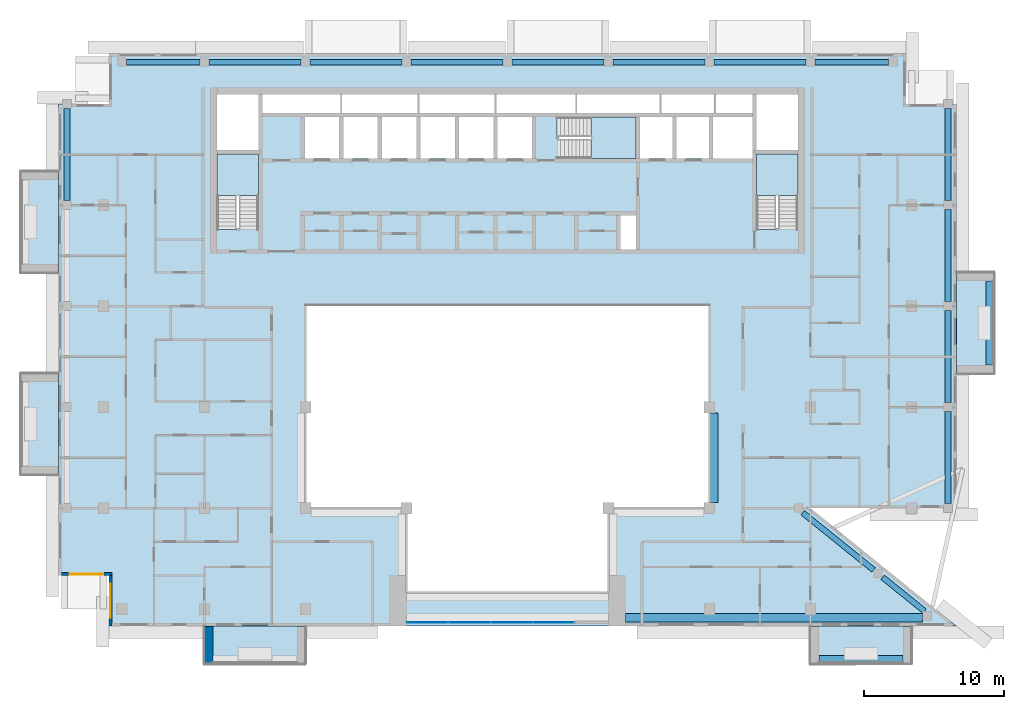
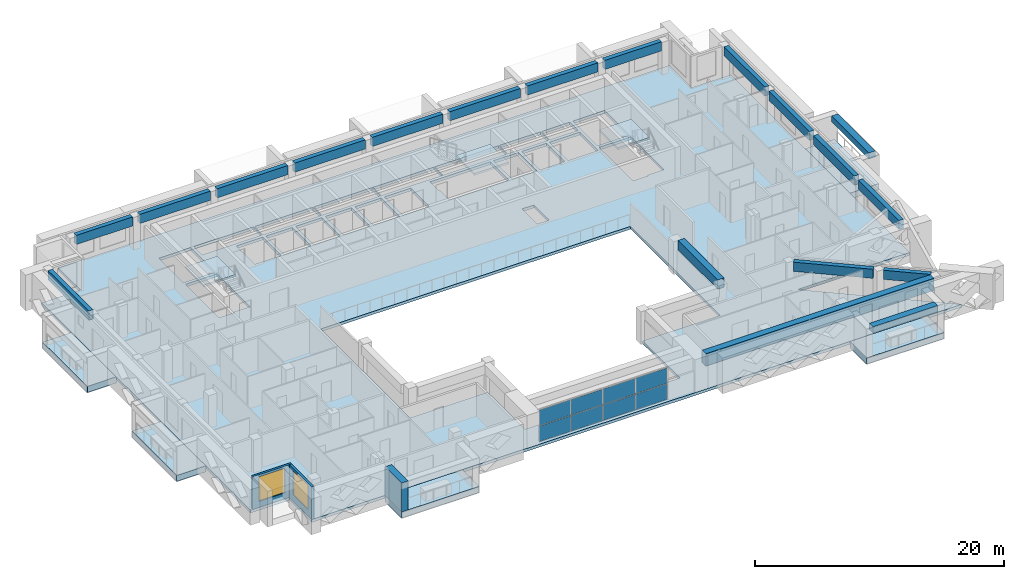
# One storey, part 5 of 19: 19 beams, 9 slabs, 8 plates, 3 walls, 2 windows, 2 openings, 4 elements without a shape of their own.
"""IFC4 building model written with IfcOpenShell, lengths in metres."""

from ifc_helpers import new_model, si_unit, direction, frame, frame_2d, origin, origin_2d, place, context, subcontext, project, spatial, polyline, rectangle, outline, extrude, source, transform, mapped, material, layer, layer_set, material_profile, profile_set, type_object, element, fill, aggregate, save


model = new_model("IFC4")

# Units and contexts
model_context = context("Model", 3, precision=1e-05, world=origin(), true_north=direction((0.0, 1.0)))
body_context = subcontext(model_context, "Body", "Model", "MODEL_VIEW")
ifc_project = project(units=[si_unit("LENGTHUNIT", "METRE"), si_unit("AREAUNIT", "SQUARE_METRE"), si_unit("VOLUMEUNIT", "CUBIC_METRE"), si_unit("PLANEANGLEUNIT", "RADIAN"), si_unit("MASSUNIT", "GRAM", prefix="KILO")], contexts=[model_context])

# Site, building, storey
site_placement = place(None, origin())
site = spatial("IfcSite", under=ifc_project, at=site_placement, CompositionType="ELEMENT")
building_placement = place(site_placement, origin())
building = spatial("IfcBuilding", under=site, at=building_placement, Name="Saffron Iwan Residences", CompositionType="ELEMENT")
storey_placement = place(building_placement, frame((0.0, 0.0, 243.0)))
storey = spatial("IfcBuildingStorey", under=building, at=storey_placement, Name="L65", CompositionType="ELEMENT", Elevation=243.0)

# Beams
ifc_material_1 = material(Name="Concrete C40/50", Category="concrete")
ifc_material_profile_1 = material_profile(ifc_material_1, rectangle(XDim=0.39990234375, YDim=0.89990234375, at=origin_2d()), Name="RC 400x900")
ifc_profile_set_1 = profile_set([ifc_material_profile_1], Name="Concrete C40/50")
beam_type_1 = type_object("IfcBeamType", Name="SPANDREL BEAM RC 400x900 C40/50 TOP 3220", PredefinedType="SPANDREL", material=ifc_profile_set_1)
shared_shape_1 = source(origin(), body_context, "Body", "SweptSolid", [
    extrude(rectangle(XDim=0.39990234375, YDim=0.89990234375, at=origin_2d()), origin(), (0.0, 0.0, 1.0), 3.839599609375),
])
beam_1_placement = place(storey_placement, frame((77.14794921875, 43.07080078125, 2.77001953125), z_axis=(0.777944766372, -0.628332667044, 0.0), x_axis=(0.628332667044, 0.777944766372, 0.0)))
element("IfcBeam", 1, at=beam_1_placement, inside=storey, type_object=beam_type_1, Name="Spandrel beam", PredefinedType="SPANDREL", context=body_context, shape_type="MappedRepresentation", body=[
    mapped(shared_shape_1, transform((0.0, 0.0, 0.0))),
])
shared_shape_2 = source(origin(), body_context, "Body", "SweptSolid", [
    extrude(rectangle(XDim=0.39990234375, YDim=0.89990234375, at=origin_2d()), origin(), (0.0, 0.0, 1.0), 6.4921875),
])
beam_2_placement = place(storey_placement, frame((71.447509765625, 47.675048828125, 2.77001953125), z_axis=(0.777936231257, -0.628343234305, 0.0), x_axis=(0.628343234305, 0.777936231257, 0.0)))
element("IfcBeam", 2, at=beam_2_placement, inside=storey, type_object=beam_type_1, Name="Spandrel beam", PredefinedType="SPANDREL", context=body_context, shape_type="MappedRepresentation", body=[
    mapped(shared_shape_2, transform((0.0, 0.0, 0.0))),
])
shared_shape_3 = source(origin(), body_context, "Body", "SweptSolid", [
    extrude(rectangle(XDim=0.39990234375, YDim=0.89990234375, at=origin_2d()), origin(), (0.0, 0.0, 1.0), 6.550048828125),
])
for number, where, z_axis, x_axis, name in (
    (3, (81.800048828125, 54.875, 2.77001953125), (0.0, -1.0, 0.0), (1.0, 0.0, 0.0), "Spandrel beam"),
    (4, (81.800048828125, 62.074951171875, 2.77001953125), (0.0, -1.0, 0.0), (1.0, 0.0, 0.0), "Spandrel beam"),
    (5, (19.0, 69.925048828125, 2.77001953125), (0.0, 1.0, 0.0), (-1.0, 0.0, 0.0), "Spandrel beam"),
    (6, (81.800048828125, 76.47509765625, 2.77001953125), (0.0, -1.0, 0.0), (1.0, 0.0, 0.0), "Spandrel beam"),
    (7, (29.125, 79.800048828125, 2.77001953125), (1.0, 0.0, 0.0), (0.0, 1.0, 0.0), "Spandrel beam"),
    (8, (36.324951171875, 79.800048828125, 2.77001953125), (1.0, 0.0, 0.0), (0.0, 1.0, 0.0), "Spandrel beam"),
    (9, (43.52490234375, 79.800048828125, 2.77001953125), (1.0, 0.0, 0.0), (0.0, 1.0, 0.0), "Spandrel beam"),
    (10, (57.925048828125, 79.800048828125, 2.77001953125), (1.0, 0.0, 0.0), (0.0, 1.0, 0.0), "Spandrel beam"),
    (11, (65.125, 79.800048828125, 2.77001953125), (1.0, 0.0, 0.0), (0.0, 1.0, 0.0), "Spandrel beam"),
):
    element("IfcBeam", number, at=place(storey_placement, frame(where, z_axis=z_axis, x_axis=x_axis)), inside=storey, type_object=beam_type_1, Name=name, PredefinedType="SPANDREL", context=body_context, shape_type="MappedRepresentation", body=[
        mapped(shared_shape_3, transform((0.0, 0.0, 0.0))),
    ])
shared_shape_4 = source(origin(), body_context, "Body", "SweptSolid", [
    extrude(rectangle(XDim=0.39990234375, YDim=0.89990234375, at=origin_2d()), origin(), (0.0, 0.0, 1.0), 6.5498046875),
])
for number, where, z_axis, x_axis, name in (
    (12, (81.800048828125, 69.27490234375, 2.77001953125), (0.0, -1.0, 0.0), (1.0, 0.0, 0.0), "Spandrel beam"),
    (13, (50.72509765625, 79.800048828125, 2.77001953125), (1.0, 0.0, 0.0), (0.0, 1.0, 0.0), "Spandrel beam"),
):
    element("IfcBeam", number, at=place(storey_placement, frame(where, z_axis=z_axis, x_axis=x_axis)), inside=storey, type_object=beam_type_1, Name=name, PredefinedType="SPANDREL", context=body_context, shape_type="MappedRepresentation", body=[
        mapped(shared_shape_4, transform((0.0, 0.0, 0.0))),
    ])
shared_shape_5 = source(origin(), body_context, "Body", "SweptSolid", [
    extrude(rectangle(XDim=0.39990234375, YDim=0.89990234375, at=origin_2d()), origin(), (0.0, 0.0, 1.0), 5.25),
])
for number, where, z_axis, x_axis, name in (
    (14, (23.22509765625, 79.800048828125, 2.77001953125), (1.0, 0.0, 0.0), (0.0, 1.0, 0.0), "Spandrel beam"),
    (15, (72.324951171875, 79.800048828125, 2.77001953125), (1.0, 0.0, 0.0), (0.0, 1.0, 0.0), "Spandrel beam"),
):
    element("IfcBeam", number, at=place(storey_placement, frame(where, z_axis=z_axis, x_axis=x_axis)), inside=storey, type_object=beam_type_1, Name=name, PredefinedType="SPANDREL", context=body_context, shape_type="MappedRepresentation", body=[
        mapped(shared_shape_5, transform((0.0, 0.0, 0.0))),
    ])
ifc_material_profile_2 = material_profile(ifc_material_1, rectangle(XDim=0.60009765625, YDim=1.199951171875, at=origin_2d()), Name="RC 600x1200")
ifc_profile_set_2 = profile_set([ifc_material_profile_2], Name="Concrete C40/50")
beam_type_2 = type_object("IfcBeamType", Name="LINTEL BEAM RC 600x1200 C40/50 TOP 3220", PredefinedType="LINTEL", material=ifc_profile_set_2)
shared_shape_6 = source(origin(), body_context, "Body", "SweptSolid", [
    extrude(rectangle(XDim=0.60009765625, YDim=1.199951171875, at=origin_2d()), origin(), (0.0, 0.0, 1.0), 21.20068359375),
])
beam_3_placement = place(storey_placement, frame((80.000732421875, 40.199951171875, 2.6201171875), z_axis=(-1.0, 0.0, 0.0), x_axis=(0.0, -1.0, 0.0)))
element("IfcBeam", 16, at=beam_3_placement, inside=storey, type_object=beam_type_2, Name="Lintel beam over the iwan", PredefinedType="LINTEL", context=body_context, shape_type="MappedRepresentation", body=[
    mapped(shared_shape_6, transform((0.0, 0.0, 0.0))),
])
ifc_material_profile_3 = material_profile(ifc_material_1, rectangle(XDim=0.60009765625, YDim=0.89990234375, at=origin_2d()), Name="RC 600x900")
ifc_profile_set_3 = profile_set([ifc_material_profile_3], Name="Concrete C40/50")
beam_type_3 = type_object("IfcBeamType", Name="BEAM RC 600x900 C40/50 TOP 3220", PredefinedType="BEAM", material=ifc_profile_set_3)
shared_shape_7 = source(origin(), body_context, "Body", "SweptSolid", [
    extrude(rectangle(XDim=0.60009765625, YDim=0.89990234375, at=origin_2d()), origin(), (0.0, 0.0, 1.0), 6.400146484375),
])
beam_4_placement = place(storey_placement, frame((65.10009765625, 54.800048828125, 2.77001953125), z_axis=(0.0, -1.0, 0.0), x_axis=(1.0, 0.0, 0.0)))
element("IfcBeam", 17, at=beam_4_placement, inside=storey, type_object=beam_type_3, Name="Atrium edge beam", PredefinedType="BEAM", context=body_context, shape_type="MappedRepresentation", body=[
    mapped(shared_shape_7, transform((0.0, 0.0, 0.0))),
])
ifc_material_2 = material(Name="Concrete C50/60 white painted", Category="concrete")
ifc_material_profile_4 = material_profile(ifc_material_2, rectangle(XDim=0.60009765625, YDim=0.60009765625, at=origin_2d()), Name="BALCONY FASCIA BEAM 600 x 600")
ifc_profile_set_4 = profile_set([ifc_material_profile_4], Name="Concrete C50/60 white painted")
beam_type_4 = type_object("IfcBeamType", Name="BALCONY FASCIA BEAM 600 x 600", PredefinedType="BEAM", material=ifc_profile_set_4)
shared_shape_8 = source(origin(), body_context, "Body", "SweptSolid", [
    extrude(rectangle(XDim=0.60009765625, YDim=0.60009765625, at=origin_2d()), origin(), (0.0, 0.0, 1.0), 6.0),
])
for number, where, z_axis, x_axis, name in (
    (18, (84.800048828125, 58.199951171875, 2.550048828125), (0.0, 1.0, 0.0), (-1.0, 0.0, 0.0), "Balcony fascia beam L65 F2-0"),
    (19, (72.60009765625, 37.199951171875, 2.550048828125), (1.0, 0.0, 0.0), (0.0, 1.0, 0.0), "Balcony fascia beam L65 11-1"),
):
    element("IfcBeam", number, at=place(storey_placement, frame(where, z_axis=z_axis, x_axis=x_axis)), inside=storey, type_object=beam_type_4, Name=name, PredefinedType="BEAM", context=body_context, shape_type="MappedRepresentation", body=[
        mapped(shared_shape_8, transform((0.0, 0.0, 0.0))),
    ])

# Slabs
ifc_layer_1 = layer(ifc_material_2, 0.60009765625)
ifc_layer_set_1 = layer_set([ifc_layer_1], Name="Concrete C50/60 white painted")
slab_type_1 = type_object("IfcSlabType", Name="BALCONY FRAME SLAB 600", PredefinedType="FLOOR", material=ifc_layer_set_1)
slab_1_placement = place(storey_placement, frame((0.0, 0.0, -0.60009765625)))
element("IfcSlab", 20, at=slab_1_placement, inside=storey, type_object=slab_type_1, Name="Balcony frame slab L65 F2-0", PredefinedType="FLOOR", context=body_context, shape_type="SweptSolid", body=[
    extrude(outline(polyline([(85.10009765625, 57.60009765625), (85.10009765625, 64.800048828125), (82.39990234375, 64.800048828125), (82.39990234375, 57.60009765625), (85.10009765625, 57.60009765625)])), origin(), (0.0, 0.0, 1.0), 0.60009765625),
])
slab_2_placement = place(storey_placement, frame((0.0, 0.0, -0.60009765625)))
element("IfcSlab", 21, at=slab_2_placement, inside=storey, type_object=slab_type_1, Name="Balcony frame slab L65 F8-0", PredefinedType="FLOOR", context=body_context, shape_type="SweptSolid", body=[
    extrude(outline(polyline([(15.699951171875, 72.0), (15.699951171875, 64.800048828125), (18.39990234375, 64.800048828125), (18.39990234375, 72.0), (15.699951171875, 72.0)])), origin(), (0.0, 0.0, 1.0), 0.60009765625),
])
slab_3_placement = place(storey_placement, frame((0.0, 0.0, -0.60009765625)))
element("IfcSlab", 22, at=slab_3_placement, inside=storey, type_object=slab_type_1, Name="Balcony frame slab L65 F8-1", PredefinedType="FLOOR", context=body_context, shape_type="SweptSolid", body=[
    extrude(outline(polyline([(15.699951171875, 57.60009765625), (15.699951171875, 50.39990234375), (18.39990234375, 50.39990234375), (18.39990234375, 57.60009765625), (15.699951171875, 57.60009765625)])), origin(), (0.0, 0.0, 1.0), 0.60009765625),
])
slab_4_placement = place(storey_placement, frame((0.0, 0.0, -0.60009765625)))
element("IfcSlab", 23, at=slab_4_placement, inside=storey, type_object=slab_type_1, Name="Balcony frame slab L65 11-0", PredefinedType="FLOOR", context=body_context, shape_type="SweptSolid", body=[
    extrude(outline(polyline([(28.800048828125, 36.89990234375), (36.0, 36.89990234375), (36.0, 39.60009765625), (28.800048828125, 39.60009765625), (28.800048828125, 36.89990234375)])), origin(), (0.0, 0.0, 1.0), 0.60009765625),
])
slab_5_placement = place(storey_placement, frame((0.0, 0.0, -0.60009765625)))
element("IfcSlab", 24, at=slab_5_placement, inside=storey, type_object=slab_type_1, Name="Balcony frame slab L65 11-1", PredefinedType="FLOOR", context=body_context, shape_type="SweptSolid", body=[
    extrude(outline(polyline([(72.0, 36.89990234375), (79.199951171875, 36.89990234375), (79.199951171875, 39.60009765625), (72.0, 39.60009765625), (72.0, 36.89990234375)])), origin(), (0.0, 0.0, 1.0), 0.60009765625),
])
ifc_layer_2 = layer(ifc_material_1, 0.280029296875)
ifc_layer_set_2 = layer_set([ifc_layer_2], Name="Concrete C40/50")
slab_type_2 = type_object("IfcSlabType", Name="PT PLATE 280 C40/50", PredefinedType="FLOOR", material=ifc_layer_set_2)
slab_6_placement = place(storey_placement, frame((0.0, 0.0, -0.280029296875)))
element("IfcSlab", 25, at=slab_6_placement, inside=storey, type_object=slab_type_2, Name="Floor slab L65", PredefinedType="FLOOR", context=body_context, shape_type="SweptSolid", body=[
    extrude(outline(polyline([(18.39990234375, 43.199951171875), (18.39990234375, 76.800048828125), (22.0, 76.800048828125), (22.0, 80.39990234375), (78.800048828125, 80.39990234375), (78.800048828125, 76.800048828125), (82.39990234375, 76.800048828125), (82.39990234375, 48.0), (72.0, 48.0), (82.39990234375, 39.60009765625), (22.0, 39.60009765625), (22.0, 43.199951171875), (18.39990234375, 43.199951171875)]), holes=[polyline([(64.800048828125, 48.0), (64.800048828125, 62.39990234375), (36.0, 62.39990234375), (36.0, 48.0), (43.199951171875, 48.0), (43.199951171875, 42.0), (57.60009765625, 42.0), (57.60009765625, 48.0), (64.800048828125, 48.0)]), polyline([(29.699951171875, 73.25), (29.699951171875, 67.949951171875), (29.699951171875, 67.8505859375), (31.10009765625, 67.8505859375), (31.10009765625, 67.949951171875), (32.64990234375, 67.949951171875), (32.64990234375, 73.25), (29.699951171875, 73.25)]), polyline([(38.39990234375, 75.875), (35.949951171875, 75.875), (35.949951171875, 72.925048828125), (38.39990234375, 72.925048828125), (38.39990234375, 75.875)]), polyline([(41.14990234375, 75.875), (38.699951171875, 75.875), (38.699951171875, 72.925048828125), (41.14990234375, 72.925048828125), (41.14990234375, 75.875)]), polyline([(43.89990234375, 72.925048828125), (43.89990234375, 75.875), (41.449951171875, 75.875), (41.449951171875, 72.925048828125), (43.89990234375, 72.925048828125)]), polyline([(46.64990234375, 72.925048828125), (46.64990234375, 75.875), (44.199951171875, 75.875), (44.199951171875, 72.925048828125), (46.64990234375, 72.925048828125)]), polyline([(49.39990234375, 75.875), (46.949951171875, 75.875), (46.949951171875, 72.925048828125), (49.39990234375, 72.925048828125), (49.39990234375, 75.875)]), polyline([(52.14990234375, 72.925048828125), (52.14990234375, 75.875), (49.699951171875, 75.875), (49.699951171875, 72.925048828125), (52.14990234375, 72.925048828125)]), polyline([(32.64990234375, 73.550048828125), (32.64990234375, 77.5), (29.699951171875, 77.5), (29.699951171875, 73.550048828125), (32.64990234375, 73.550048828125)]), polyline([(38.5, 77.5), (32.949951171875, 77.5), (32.949951171875, 76.175048828125), (38.5, 76.175048828125), (38.5, 77.5)]), polyline([(44.0, 76.175048828125), (44.0, 77.5), (38.60009765625, 77.5), (38.60009765625, 76.175048828125), (44.0, 76.175048828125)]), polyline([(49.5, 76.175048828125), (49.5, 77.5), (44.10009765625, 77.5), (44.10009765625, 76.175048828125), (49.5, 76.175048828125)]), polyline([(59.550048828125, 68.875), (58.449951171875, 68.875), (58.449951171875, 66.449951171875), (59.550048828125, 66.449951171875), (59.550048828125, 68.875)]), polyline([(68.14990234375, 73.25), (68.14990234375, 67.949951171875), (68.14990234375, 67.8505859375), (69.550048828125, 67.8505859375), (69.550048828125, 67.949951171875), (71.10009765625, 67.949951171875), (71.10009765625, 73.25), (68.14990234375, 73.25)]), polyline([(54.02490234375, 74.47509765625), (54.02490234375, 72.925048828125), (59.550048828125, 72.925048828125), (59.550048828125, 75.875), (54.02490234375, 75.875), (53.925537109375, 75.875), (53.925537109375, 74.47509765625), (54.02490234375, 74.47509765625)]), polyline([(62.14990234375, 72.925048828125), (62.14990234375, 75.875), (59.85009765625, 75.875), (59.85009765625, 72.925048828125), (62.14990234375, 72.925048828125)]), polyline([(64.75, 72.925048828125), (64.75, 75.875), (62.449951171875, 75.875), (62.449951171875, 72.925048828125), (64.75, 72.925048828125)]), polyline([(67.85009765625, 75.875), (65.050048828125, 75.875), (65.050048828125, 72.925048828125), (67.85009765625, 72.925048828125), (67.85009765625, 75.875)]), polyline([(71.10009765625, 73.550048828125), (71.10009765625, 77.5), (68.14990234375, 77.5), (68.14990234375, 73.550048828125), (71.10009765625, 73.550048828125)]), polyline([(55.25, 76.175048828125), (55.25, 77.5), (49.60009765625, 77.5), (49.60009765625, 76.175048828125), (55.25, 76.175048828125)]), polyline([(61.25, 77.5), (55.35009765625, 77.5), (55.35009765625, 76.175048828125), (61.25, 76.175048828125), (61.25, 77.5)]), polyline([(65.14990234375, 76.175048828125), (65.14990234375, 77.5), (61.35009765625, 77.5), (61.35009765625, 76.175048828125), (65.14990234375, 76.175048828125)]), polyline([(67.85009765625, 76.175048828125), (67.85009765625, 77.5), (65.25, 77.5), (65.25, 76.175048828125), (67.85009765625, 76.175048828125)])]), origin(), (0.0, 0.0, 1.0), 0.280029296875),
])

# Stair, slab
ifc_material_3 = material(Name="Concrete C50/60", Category="concrete")
stair_type = type_object("IfcStairType", Name="Stair ST-CORE", PredefinedType="HALF_TURN_STAIR", material=ifc_material_3)
stair_1_placement = place(storey_placement, origin())
stair_1 = element("IfcStair", 26, at=stair_1_placement, inside=storey, type_object=stair_type, Name="L65 Exit Stair ST-W", PredefinedType="HALF_TURN_STAIR")
ifc_layer_3 = layer(ifc_material_3, 0.199951171875)
ifc_layer_set_3 = layer_set([ifc_layer_3], Name="Concrete C50/60")
slab_type_3 = type_object("IfcSlabType", Name="Stair landing SL-RC", PredefinedType="LANDING", material=ifc_layer_set_3)
slab_7_placement = place(storey_placement, frame((0.0, 0.0, 1.5498046875)))
slab_7 = element("IfcSlab", 27, at=slab_7_placement, type_object=slab_type_3, Name="ST-W landing 1", PredefinedType="LANDING", context=body_context, shape_type="SweptSolid", body=[
    extrude(outline(polyline([(32.64990234375, 70.280029296875), (32.64990234375, 73.25), (29.699951171875, 73.25), (29.699951171875, 70.280029296875), (32.64990234375, 70.280029296875)])), origin(), (0.0, 0.0, 1.0), 0.2001953125),
])
aggregate(stair_1, [slab_7])

stair_2_placement = place(storey_placement, origin())
stair_2 = element("IfcStair", 28, at=stair_2_placement, inside=storey, type_object=stair_type, Name="L65 Exit Stair ST-C", PredefinedType="HALF_TURN_STAIR")
slab_8_placement = place(storey_placement, frame((0.0, 0.0, 1.5498046875)))
slab_8 = element("IfcSlab", 29, at=slab_8_placement, type_object=slab_type_3, Name="ST-C landing 1", PredefinedType="LANDING", context=body_context, shape_type="SweptSolid", body=[
    extrude(outline(polyline([(56.35498046875, 72.925048828125), (59.550048828125, 72.925048828125), (59.550048828125, 75.875), (56.35498046875, 75.875), (56.35498046875, 72.925048828125)])), origin(), (0.0, 0.0, 1.0), 0.2001953125),
])
aggregate(stair_2, [slab_8])

stair_3_placement = place(storey_placement, origin())
stair_3 = element("IfcStair", 30, at=stair_3_placement, inside=storey, type_object=stair_type, Name="L65 Exit Stair ST-E", PredefinedType="HALF_TURN_STAIR")
slab_9_placement = place(storey_placement, frame((0.0, 0.0, 1.5498046875)))
slab_9 = element("IfcSlab", 31, at=slab_9_placement, type_object=slab_type_3, Name="ST-E landing 1", PredefinedType="LANDING", context=body_context, shape_type="SweptSolid", body=[
    extrude(outline(polyline([(71.10009765625, 70.280029296875), (71.10009765625, 73.25), (68.14990234375, 73.25), (68.14990234375, 70.280029296875), (71.10009765625, 70.280029296875)])), origin(), (0.0, 0.0, 1.0), 0.2001953125),
])
aggregate(stair_3, [slab_9])

# Curtain wall, plates
ifc_material_4 = material(Name="Clear glass, laminated double glazed", Category="glass")
ifc_layer_4 = layer(ifc_material_4, 0.199951171875)
ifc_layer_set_4 = layer_set([ifc_layer_4], Name="Clear glass, laminated double glazed")
curtain_wall_type = type_object("IfcCurtainWallType", Name="CW-B IWAN PORTAL", PredefinedType="NOTDEFINED", material=ifc_layer_set_4)
curtain_wall_placement = place(storey_placement, origin())
curtain_wall = element("IfcCurtainWall", 32, at=curtain_wall_placement, inside=storey, type_object=curtain_wall_type, Name="Iwan portal glazing L65.1", PredefinedType="NOTDEFINED")
ifc_layer_5 = layer(ifc_material_4, 0.028076171875)
ifc_layer_set_5 = layer_set([ifc_layer_5], Name="Clear glass, laminated double glazed")
plate_type = type_object("IfcPlateType", Name="CW-B PANEL 28", PredefinedType="CURTAIN_PANEL", material=ifc_layer_set_5)
shared_shape_9 = source(origin(), body_context, "Body", "SweptSolid", [
    extrude(rectangle(XDim=2.909912109375, YDim=0.028076171875, at=origin_2d()), origin(), (0.0, 0.0, 1.0), 1.52001953125),
])
plate_1_placement = place(storey_placement, frame((44.715087890625, 39.85009765625, 0.06005859375), z_axis=(0.0, 0.0, 1.0), x_axis=(1.0, 0.0, 0.0)))
plate_1 = element("IfcPlate", 33, at=plate_1_placement, type_object=plate_type, Name="CW-B panel 1.1", PredefinedType="CURTAIN_PANEL", context=body_context, shape_type="MappedRepresentation", body=[
    mapped(shared_shape_9, transform((0.0, 0.0, 0.0))),
])
plate_2_placement = place(storey_placement, frame((44.715087890625, 39.85009765625, 1.639892578125), z_axis=(0.0, 0.0, 1.0), x_axis=(1.0, 0.0, 0.0)))
plate_2 = element("IfcPlate", 34, at=plate_2_placement, type_object=plate_type, Name="CW-B panel 1.2", PredefinedType="CURTAIN_PANEL", context=body_context, shape_type="MappedRepresentation", body=[
    mapped(shared_shape_9, transform((0.0, 0.0, 0.0))),
])
plate_3_placement = place(storey_placement, frame((53.68505859375, 39.85009765625, 0.06005859375), z_axis=(0.0, 0.0, 1.0), x_axis=(1.0, 0.0, 0.0)))
plate_3 = element("IfcPlate", 35, at=plate_3_placement, type_object=plate_type, Name="CW-B panel 4.1", PredefinedType="CURTAIN_PANEL", context=body_context, shape_type="MappedRepresentation", body=[
    mapped(shared_shape_9, transform((0.0, 0.0, 0.0))),
])
plate_4_placement = place(storey_placement, frame((53.68505859375, 39.85009765625, 1.639892578125), z_axis=(0.0, 0.0, 1.0), x_axis=(1.0, 0.0, 0.0)))
plate_4 = element("IfcPlate", 36, at=plate_4_placement, type_object=plate_type, Name="CW-B panel 4.2", PredefinedType="CURTAIN_PANEL", context=body_context, shape_type="MappedRepresentation", body=[
    mapped(shared_shape_9, transform((0.0, 0.0, 0.0))),
])
shared_shape_10 = source(origin(), body_context, "Body", "SweptSolid", [
    extrude(rectangle(XDim=2.93994140625, YDim=0.028076171875, at=origin_2d()), origin(), (0.0, 0.0, 1.0), 1.52001953125),
])
plate_5_placement = place(storey_placement, frame((47.699951171875, 39.85009765625, 0.06005859375), z_axis=(0.0, 0.0, 1.0), x_axis=(1.0, 0.0, 0.0)))
plate_5 = element("IfcPlate", 37, at=plate_5_placement, type_object=plate_type, Name="CW-B panel 2.1", PredefinedType="CURTAIN_PANEL", context=body_context, shape_type="MappedRepresentation", body=[
    mapped(shared_shape_10, transform((0.0, 0.0, 0.0))),
])
plate_6_placement = place(storey_placement, frame((47.699951171875, 39.85009765625, 1.639892578125), z_axis=(0.0, 0.0, 1.0), x_axis=(1.0, 0.0, 0.0)))
plate_6 = element("IfcPlate", 38, at=plate_6_placement, type_object=plate_type, Name="CW-B panel 2.2", PredefinedType="CURTAIN_PANEL", context=body_context, shape_type="MappedRepresentation", body=[
    mapped(shared_shape_10, transform((0.0, 0.0, 0.0))),
])
plate_7_placement = place(storey_placement, frame((50.699951171875, 39.85009765625, 0.06005859375), z_axis=(0.0, 0.0, 1.0), x_axis=(1.0, 0.0, 0.0)))
plate_7 = element("IfcPlate", 39, at=plate_7_placement, type_object=plate_type, Name="CW-B panel 3.1", PredefinedType="CURTAIN_PANEL", context=body_context, shape_type="MappedRepresentation", body=[
    mapped(shared_shape_10, transform((0.0, 0.0, 0.0))),
])
plate_8_placement = place(storey_placement, frame((50.699951171875, 39.85009765625, 1.639892578125), z_axis=(0.0, 0.0, 1.0), x_axis=(1.0, 0.0, 0.0)))
plate_8 = element("IfcPlate", 40, at=plate_8_placement, type_object=plate_type, Name="CW-B panel 3.2", PredefinedType="CURTAIN_PANEL", context=body_context, shape_type="MappedRepresentation", body=[
    mapped(shared_shape_10, transform((0.0, 0.0, 0.0))),
])
aggregate(curtain_wall, [plate_1, plate_2, plate_5, plate_6, plate_7, plate_8, plate_3, plate_4])

# Wall
ifc_layer_6 = layer(ifc_material_2, 0.60009765625)
ifc_layer_set_6 = layer_set([ifc_layer_6], Name="Concrete C50/60 white painted")
wall_type_1 = type_object("IfcWallType", Name="BALCONY FIN 600", PredefinedType="SOLIDWALL", material=ifc_layer_set_6)
wall_1_placement = place(storey_placement, frame((29.10009765625, 39.550048828125, 0.0), z_axis=(0.0, 0.0, 1.0), x_axis=(0.0, -1.0, 0.0)))
element("IfcWall", 41, at=wall_1_placement, inside=storey, type_object=wall_type_1, Name="Balcony fin L65 11-0a", PredefinedType="SOLIDWALL", context=body_context, shape_type="SweptSolid", body=[
    extrude(rectangle(XDim=2.650146484375, YDim=0.60009765625, at=frame_2d((1.3251953125, 0.0))), origin(), (0.0, 0.0, 1.0), 2.85009765625),
])

# Wall, opening, window
ifc_layer_7 = layer(ifc_material_1, 0.199951171875)
ifc_layer_set_7 = layer_set([ifc_layer_7], Name="Concrete C40/50")
wall_type_2 = type_object("IfcWallType", Name="EXTERNAL WALL 200", PredefinedType="SOLIDWALL", material=ifc_layer_set_7)
wall_2_placement = place(storey_placement, frame((18.60009765625, 43.300048828125, 0.0), z_axis=(0.0, 0.0, 1.0), x_axis=(1.0, 0.0, 0.0)))
wall_2 = element("IfcWall", 42, at=wall_2_placement, inside=storey, type_object=wall_type_2, Name="External wall L65 F9.0", PredefinedType="SOLIDWALL", context=body_context, shape_type="SweptSolid", body=[
    extrude(rectangle(XDim=3.599853515625, YDim=0.199951171875, at=frame_2d((1.7998046875, 0.0))), origin(), (0.0, 0.0, 1.0), 3.219970703125),
])
opening_1_placement = place(wall_2_placement, frame((0.60009765625, 0.0, 0.60009765625)))
opening_1 = element("IfcOpeningElement", 43, at=opening_1_placement, cuts=wall_2, Name="Opening W1", PredefinedType="OPENING", context=body_context, shape_type="SweptSolid", body=[
    extrude(rectangle(XDim=2.39990234375, YDim=2.39990234375, at=frame_2d((1.199951171875, 1.199951171875))), frame((0.0, 0.10986328125, 0.0), z_axis=(0.0, -1.0, 0.0), x_axis=(1.0, 0.0, 0.0)), (0.0, 0.0, 1.0), 0.219970703125),
])
window_type = type_object("IfcWindowType", Name="WINDOW 2400 x 2400", PartitioningType="DOUBLE_PANEL_VERTICAL", PredefinedType="WINDOW", material=ifc_material_4)
window_1_placement = place(opening_1_placement, origin())
window_1 = element("IfcWindow", 44, at=window_1_placement, inside=storey, type_object=window_type, Name="Window L65 F9.0", OverallHeight=2.39990234375, OverallWidth=2.39990234375, PartitioningType="DOUBLE_PANEL_VERTICAL", PredefinedType="WINDOW", context=body_context, shape_type="SweptSolid", body=[
    extrude(rectangle(XDim=2.39990234375, YDim=2.39990234375, at=frame_2d((1.199951171875, 1.199951171875))), frame((0.0, 0.030029296875, 0.0), z_axis=(0.0, -1.0, 0.0), x_axis=(1.0, 0.0, 0.0)), (0.0, 0.0, 1.0), 0.06005859375),
])
fill(opening_1, window_1)

wall_3_placement = place(storey_placement, frame((22.10009765625, 43.199951171875, 0.0), z_axis=(0.0, 0.0, 1.0), x_axis=(0.0, -1.0, 0.0)))
wall_3 = element("IfcWall", 45, at=wall_3_placement, inside=storey, type_object=wall_type_2, Name="External wall L65 F10.0", PredefinedType="SOLIDWALL", context=body_context, shape_type="SweptSolid", body=[
    extrude(rectangle(XDim=3.599853515625, YDim=0.199951171875, at=frame_2d((1.7998046875, 0.0))), origin(), (0.0, 0.0, 1.0), 3.219970703125),
])
opening_2_placement = place(wall_3_placement, frame((0.60009765625, 0.0, 0.60009765625)))
opening_2 = element("IfcOpeningElement", 46, at=opening_2_placement, cuts=wall_3, Name="Opening W1", PredefinedType="OPENING", context=body_context, shape_type="SweptSolid", body=[
    extrude(rectangle(XDim=2.39990234375, YDim=2.39990234375, at=frame_2d((1.199951171875, 1.199951171875))), frame((0.0, 0.10986328125, 0.0), z_axis=(0.0, -1.0, 0.0), x_axis=(1.0, 0.0, 0.0)), (0.0, 0.0, 1.0), 0.219970703125),
])
window_2_placement = place(opening_2_placement, origin())
window_2 = element("IfcWindow", 47, at=window_2_placement, inside=storey, type_object=window_type, Name="Window L65 F10.0", OverallHeight=2.39990234375, OverallWidth=2.39990234375, PartitioningType="DOUBLE_PANEL_VERTICAL", PredefinedType="WINDOW", context=body_context, shape_type="SweptSolid", body=[
    extrude(rectangle(XDim=2.39990234375, YDim=2.39990234375, at=frame_2d((1.199951171875, 1.199951171875))), frame((0.0, 0.030029296875, 0.0), z_axis=(0.0, -1.0, 0.0), x_axis=(1.0, 0.0, 0.0)), (0.0, 0.0, 1.0), 0.06005859375),
])
fill(opening_2, window_2)

save(model, "model.ifc")
